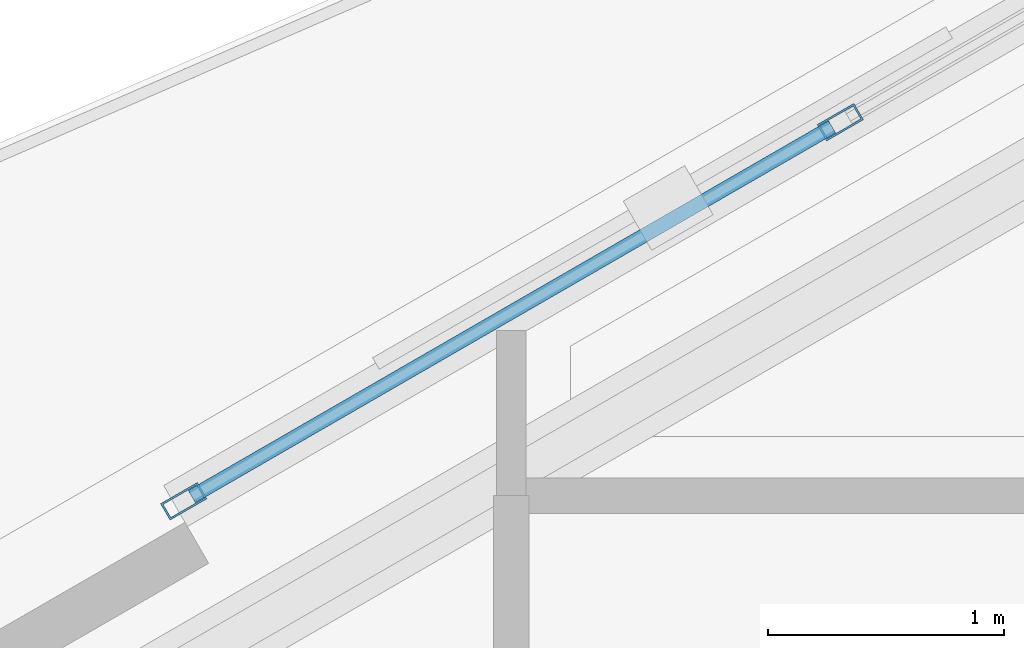
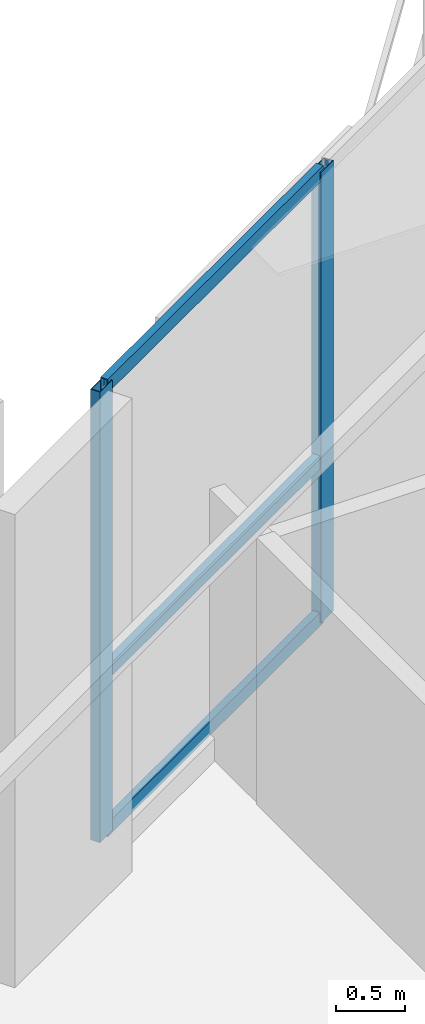
# One storey, part 6 of 18: 5 members, 1 element without a shape of its own.
"""IFC4 building model written with IfcOpenShell, lengths in metres."""

import ifcopenshell
import ifcopenshell.guid

model = None  # the IFC model being written
_history = None  # IfcOwnerHistory: only IFC2X3 demands one
_inside = {}  # id of a spatial element -> (the spatial element, [elements in it])
_under = {}  # id of a project, library or spatial element -> (it, [spatial elements below it])
_declared = {}  # id of a project -> (the project, [libraries it declares])
_typed = {}  # id of a type object -> (the type object, [elements of that type])
_made_of = {}  # id of a material, layer set ... -> (it, [elements and type objects made of it])


def new_model(schema):
    """Start an empty IFC model of exactly this schema.

    Asked for "IFC4X3", IfcOpenShell would pick the latest addendum, in which some entities
    have other attributes; the version numbers below select the first issue.
    IFC2X3 requires an IfcOwnerHistory on every rooted entity: one is made here for all.
    """
    global model, _history
    if schema == "IFC4X3":
        model = ifcopenshell.file(schema_version=(4, 3, 0, 0))
    else:
        model = ifcopenshell.file(schema=schema)
    _inside.clear()
    _under.clear()
    _declared.clear()
    _typed.clear()
    _made_of.clear()
    _history = None
    if model.schema == "IFC2X3":
        org = make("IfcOrganization", Name="unknown")
        user = make(
            "IfcPersonAndOrganization",
            ThePerson=make("IfcPerson", FamilyName="unknown"),
            TheOrganization=org,
        )
        app = make(
            "IfcApplication",
            ApplicationDeveloper=org,
            Version="unknown",
            ApplicationFullName="unknown",
            ApplicationIdentifier="unknown",
        )
        _history = make(
            "IfcOwnerHistory",
            OwningUser=user,
            OwningApplication=app,
            ChangeAction="ADDED",
            CreationDate=0,
        )
    return model


def make(cls, **values):
    """One entity of the class cls with the attributes given. An attribute that is None is left unset."""
    return model.create_entity(
        cls, **{name: value for name, value in values.items() if value is not None}
    )


def rooted(cls, **values):
    """An entity with a GlobalId (a new one), such as an element, a storey or a relation."""
    return make(cls, GlobalId=ifcopenshell.guid.new(), OwnerHistory=_history, **values)


def si_unit(unit_type, name, prefix=None):
    """IfcSIUnit, for example si_unit("LENGTHUNIT", "METRE", prefix="MILLI")."""
    return make("IfcSIUnit", UnitType=unit_type, Prefix=prefix, Name=name)


def assignment(units):
    """IfcUnitAssignment: the units of a project."""
    return None if units is None else make("IfcUnitAssignment", Units=units)


def point(xyz):
    """IfcCartesianPoint."""
    return None if xyz is None else make("IfcCartesianPoint", Coordinates=xyz)


def direction(xyz):
    """IfcDirection."""
    return None if xyz is None else make("IfcDirection", DirectionRatios=xyz)


def frame(location, z_axis=None, x_axis=None):
    """IfcAxis2Placement3D, a coordinate frame: its origin and axes. An axis left out is left unset."""
    return make(
        "IfcAxis2Placement3D",
        Location=point(location),
        Axis=direction(z_axis),
        RefDirection=direction(x_axis),
    )


def frame_2d(location, x_axis=None):
    """IfcAxis2Placement2D, a coordinate frame in the plane: its origin and x axis."""
    return make(
        "IfcAxis2Placement2D", Location=point(location), RefDirection=direction(x_axis)
    )


def origin():
    """The frame at (0, 0, 0) with its axes left unset."""
    return frame((0.0, 0.0, 0.0))


def origin_2d():
    """The frame at (0, 0) in the plane with its x axis left unset."""
    return frame_2d((0.0, 0.0))


def place(relative_to, where):
    """IfcLocalPlacement: puts the frame where relative to a parent placement (None: the world)."""
    return make(
        "IfcLocalPlacement", PlacementRelTo=relative_to, RelativePlacement=where
    )


def context(
    kind, dimensions, precision=None, world=None, true_north=None, identifier=None
):
    """IfcGeometricRepresentationContext, for example the 3D "Model" context."""
    return make(
        "IfcGeometricRepresentationContext",
        ContextIdentifier=identifier,
        ContextType=kind,
        CoordinateSpaceDimension=dimensions,
        Precision=precision,
        WorldCoordinateSystem=world,
        TrueNorth=true_north,
    )


def subcontext(parent, identifier, kind, view, scale=None):
    """IfcGeometricRepresentationSubContext, for example "Body" below "Model"."""
    return make(
        "IfcGeometricRepresentationSubContext",
        ContextIdentifier=identifier,
        ContextType=kind,
        ParentContext=parent,
        TargetScale=scale,
        TargetView=view,
    )


def project(units=None, contexts=None):
    """IfcProject with its units and contexts."""
    return rooted(
        "IfcProject",
        Name="project",
        RepresentationContexts=contexts,
        UnitsInContext=assignment(units),
    )


def spatial(cls, under=None, at=None, **own):
    """A site, building, storey or space (cls), placed at a placement, below another one or the project."""
    s = rooted(cls, ObjectPlacement=at, **own)
    if under is not None:
        _under.setdefault(under.id(), (under, []))[1].append(s)
    return s


def profile(cls, at=None, kind="AREA", **sizes):
    """A parametric profile (cls). Its sizes go by their IFC names, for example OverallWidth=200.0."""
    return make(cls, ProfileType=kind, Position=at, **sizes)


def hollow_rectangle(**sizes):
    """IfcRectangleHollowProfileDef."""
    return profile("IfcRectangleHollowProfileDef", **sizes)


def extrude(swept, where, along, depth):
    """IfcExtrudedAreaSolid: the profile swept, set in the frame where, extruded along a direction by depth."""
    return make(
        "IfcExtrudedAreaSolid",
        SweptArea=swept,
        Position=where,
        ExtrudedDirection=direction(along),
        Depth=depth,
    )


def shape(context_of_items, identifier, shape_type, items):
    """IfcShapeRepresentation: the items that make up one representation, for example the "Body"."""
    return make(
        "IfcShapeRepresentation",
        ContextOfItems=context_of_items,
        RepresentationIdentifier=identifier,
        RepresentationType=shape_type,
        Items=items,
    )


def material(Name=None, Category=None):
    """IfcMaterial."""
    return make("IfcMaterial", Name=Name, Category=Category)


def layer(
    of_material, thickness, ventilated=None, Name=None, Category=None, Priority=None
):
    """IfcMaterialLayer: one layer of a wall or slab, of a material (None: an air gap)."""
    return make(
        "IfcMaterialLayer",
        Material=of_material,
        LayerThickness=thickness,
        IsVentilated=ventilated,
        Name=Name,
        Category=Category,
        Priority=Priority,
    )


def layer_set(layers, Name=None):
    """IfcMaterialLayerSet."""
    return make("IfcMaterialLayerSet", MaterialLayers=layers, LayerSetName=Name)


def material_profile(
    of_material, cross_section, Name=None, Category=None, Priority=None
):
    """IfcMaterialProfile: a cross section and its material."""
    return make(
        "IfcMaterialProfile",
        Name=Name,
        Material=of_material,
        Profile=cross_section,
        Priority=Priority,
        Category=Category,
    )


def profile_set(profiles, Name=None, composite=None):
    """IfcMaterialProfileSet."""
    return make(
        "IfcMaterialProfileSet",
        Name=Name,
        MaterialProfiles=profiles,
        CompositeProfile=composite,
    )


def made_of(thing, what):
    """Note that an element or type object is made of a material, layer set ...; save() writes the relation."""
    if what is not None:
        _made_of.setdefault(what.id(), (what, []))[1].append(thing)
    return thing


def type_object(cls, material=None, **own):
    """A type object (cls), such as IfcWallType, which elements share."""
    return made_of(rooted(cls, **own), material)


def element(
    cls,
    number,
    at=None,
    inside=None,
    cuts=None,
    type_object=None,
    material=None,
    context=None,
    identifier="Body",
    shape_type=None,
    held_by="IfcProductDefinitionShape",
    body=None,
    shapes=None,
    **own,
):
    """One element of the class cls, such as IfcWall. Its Tag is "e" and its number.

    at: its placement. inside: the storey or other place that contains it. cuts: it is an
    opening in that element (IfcRelVoidsElement). A single representation is given by context,
    identifier, shape_type and body (its items); several are given by shapes. held_by: the class
    of the entity that holds the representations. save() writes the other relations.
    """
    e = rooted(cls, Tag="e%d" % number, ObjectPlacement=at, **own)
    if body is not None:
        shapes = [shape(context, identifier, shape_type, body)]
    if shapes is not None:
        e.Representation = make(held_by, Representations=shapes)
    if inside is not None:
        _inside.setdefault(inside.id(), (inside, []))[1].append(e)
    if cuts is not None:
        rooted(
            "IfcRelVoidsElement", RelatingBuildingElement=cuts, RelatedOpeningElement=e
        )
    if type_object is not None:
        _typed.setdefault(type_object.id(), (type_object, []))[1].append(e)
    return made_of(e, material)


def aggregate(whole, parts):
    """IfcRelAggregates: a whole, such as a stair, and the parts it consists of."""
    return rooted("IfcRelAggregates", RelatingObject=whole, RelatedObjects=parts)


def save(model, path):
    """Write the relations noted so far, then the file.

    IfcRelAggregates (storeys below a building ...), IfcRelContainedInSpatialStructure (elements
    in a storey), IfcRelDefinesByType, IfcRelAssociatesMaterial and IfcRelDeclares: one each for
    every whole, place, type object, material and project.
    """
    for whole, parts in _under.values():
        aggregate(whole, parts)
    for where, things in _inside.values():
        rooted(
            "IfcRelContainedInSpatialStructure",
            RelatedElements=things,
            RelatingStructure=where,
        )
    for kind, things in _typed.values():
        rooted("IfcRelDefinesByType", RelatedObjects=things, RelatingType=kind)
    for what, things in _made_of.values():
        rooted("IfcRelAssociatesMaterial", RelatedObjects=things, RelatingMaterial=what)
    for by, libraries in _declared.values():
        rooted("IfcRelDeclares", RelatingContext=by, RelatedDefinitions=libraries)
    model.write(path)


model = new_model("IFC4")

# Units and contexts
model_context = context("Model", 3, precision=1e-05, world=origin(), true_north=direction((0.0, 1.0)))
body_context = subcontext(model_context, "Body", "Model", "MODEL_VIEW")
ifc_project = project(units=[si_unit("LENGTHUNIT", "METRE"), si_unit("AREAUNIT", "SQUARE_METRE"), si_unit("VOLUMEUNIT", "CUBIC_METRE"), si_unit("PLANEANGLEUNIT", "RADIAN"), si_unit("MASSUNIT", "GRAM", prefix="KILO")], contexts=[model_context])

# Site, building, storey
site_placement = place(None, origin())
site = spatial("IfcSite", under=ifc_project, at=site_placement, CompositionType="ELEMENT")
building_placement = place(site_placement, origin())
building = spatial("IfcBuilding", under=site, at=building_placement, Name="Mersakhor Tower and Convention Hall", CompositionType="ELEMENT")
storey_placement = place(building_placement, frame((0.0, 0.0, 170.699951171875)))
storey = spatial("IfcBuildingStorey", under=building, at=storey_placement, Name="L47", CompositionType="ELEMENT", Elevation=170.699951171875)

# Curtain wall, members
ifc_material_1 = material(Name="Dark solar low-E aluminium curtain wall", Category="aluminium")
ifc_layer = layer(ifc_material_1, 0.199951171875)
ifc_layer_set = layer_set([ifc_layer], Name="Dark solar low-E aluminium curtain wall")
curtain_wall_type = type_object("IfcCurtainWallType", Name="CW-SYS-05", PredefinedType="USERDEFINED", material=ifc_layer_set)
curtain_wall_placement = place(storey_placement, origin())
curtain_wall = element("IfcCurtainWall", 1, at=curtain_wall_placement, inside=storey, type_object=curtain_wall_type, Name="L47 Dark-Glass Curtain Wall F1-B2", ObjectType="CURTAIN WALL", PredefinedType="USERDEFINED")
ifc_material_2 = material(Name="Anodised aluminium EN AW-6063 T6", Category="aluminium")
ifc_material_profile_1 = material_profile(ifc_material_2, hollow_rectangle(XDim=0.080078125, YDim=0.179931640625, WallThickness=0.008056640625, at=origin_2d()), Name="RHS 180x80x8")
ifc_profile_set_1 = profile_set([ifc_material_profile_1], Name="Anodised aluminium EN AW-6063 T6")
member_type_1 = type_object("IfcMemberType", Name="CWM-180x80", PredefinedType="MULLION", material=ifc_profile_set_1)
member_1_placement = place(storey_placement, frame((18.6142578125, 35.076416015625, 0.199951171875), z_axis=(0.0, 0.0, 1.0), x_axis=(-0.499998484116, 0.866026278978, 0.0)))
member_1 = element("IfcMember", 2, at=member_1_placement, type_object=member_type_1, Name="CW-05 mullion 1", PredefinedType="MULLION", context=body_context, shape_type="SweptSolid", body=[
    extrude(hollow_rectangle(XDim=0.080078125, YDim=0.179931640625, WallThickness=0.008056640625, at=origin_2d()), origin(), (0.0, 0.0, 1.0), 3.989990234375),
])
member_2_placement = place(storey_placement, frame((21.391845703125, 36.68017578125, 0.199951171875), z_axis=(0.0, 0.0, 1.0), x_axis=(-0.499998484116, 0.866026278978, 0.0)))
member_2 = element("IfcMember", 3, at=member_2_placement, type_object=member_type_1, Name="CW-05 mullion 2", PredefinedType="MULLION", context=body_context, shape_type="SweptSolid", body=[
    extrude(hollow_rectangle(XDim=0.080078125, YDim=0.179931640625, WallThickness=0.008056640625, at=origin_2d()), origin(), (0.0, 0.0, 1.0), 3.989990234375),
])
ifc_material_3 = material(Name="Anodised aluminium EN AW-6063 T6", Category="aluminium")
ifc_material_profile_2 = material_profile(ifc_material_3, hollow_rectangle(XDim=0.06005859375, YDim=0.1201171875, WallThickness=0.0048828125, at=origin_2d()), Name="RHS 120x60x5")
ifc_profile_set_2 = profile_set([ifc_material_profile_2], Name="Anodised aluminium EN AW-6063 T6")
member_type_2 = type_object("IfcMemberType", Name="CWT-120x60", PredefinedType="USERDEFINED", material=ifc_profile_set_2)
member_3_placement = place(storey_placement, frame((18.648681640625, 35.096435546875, 0.22998046875), z_axis=(0.866029591389, 0.499992746786, 0.0), x_axis=(-0.499992746786, 0.866029591389, 0.0)))
member_3 = element("IfcMember", 4, at=member_3_placement, type_object=member_type_2, Name="CW-05 transom 1.1", ObjectType="TRANSOM", PredefinedType="USERDEFINED", context=body_context, shape_type="SweptSolid", body=[
    extrude(hollow_rectangle(XDim=0.06005859375, YDim=0.1201171875, WallThickness=0.0048828125, at=origin_2d()), origin(), (0.0, 0.0, 1.0), 3.12744140625),
])
member_4_placement = place(storey_placement, frame((18.648681640625, 35.096435546875, 1.6201171875), z_axis=(0.866029591389, 0.499992746786, 0.0), x_axis=(-0.499992746786, 0.866029591389, 0.0)))
member_4 = element("IfcMember", 5, at=member_4_placement, type_object=member_type_2, Name="CW-05 transom 1.2", ObjectType="TRANSOM", PredefinedType="USERDEFINED", context=body_context, shape_type="SweptSolid", body=[
    extrude(hollow_rectangle(XDim=0.06005859375, YDim=0.1201171875, WallThickness=0.0048828125, at=origin_2d()), origin(), (0.0, 0.0, 1.0), 3.12744140625),
])
member_5_placement = place(storey_placement, frame((18.648681640625, 35.096435546875, 4.16015625), z_axis=(0.866029591389, 0.499992746786, 0.0), x_axis=(-0.499992746786, 0.866029591389, 0.0)))
member_5 = element("IfcMember", 6, at=member_5_placement, type_object=member_type_2, Name="CW-05 transom 1.3", ObjectType="TRANSOM", PredefinedType="USERDEFINED", context=body_context, shape_type="SweptSolid", body=[
    extrude(hollow_rectangle(XDim=0.06005859375, YDim=0.1201171875, WallThickness=0.0048828125, at=origin_2d()), origin(), (0.0, 0.0, 1.0), 3.12744140625),
])
aggregate(curtain_wall, [member_1, member_2, member_3, member_4, member_5])

save(model, "model.ifc")
